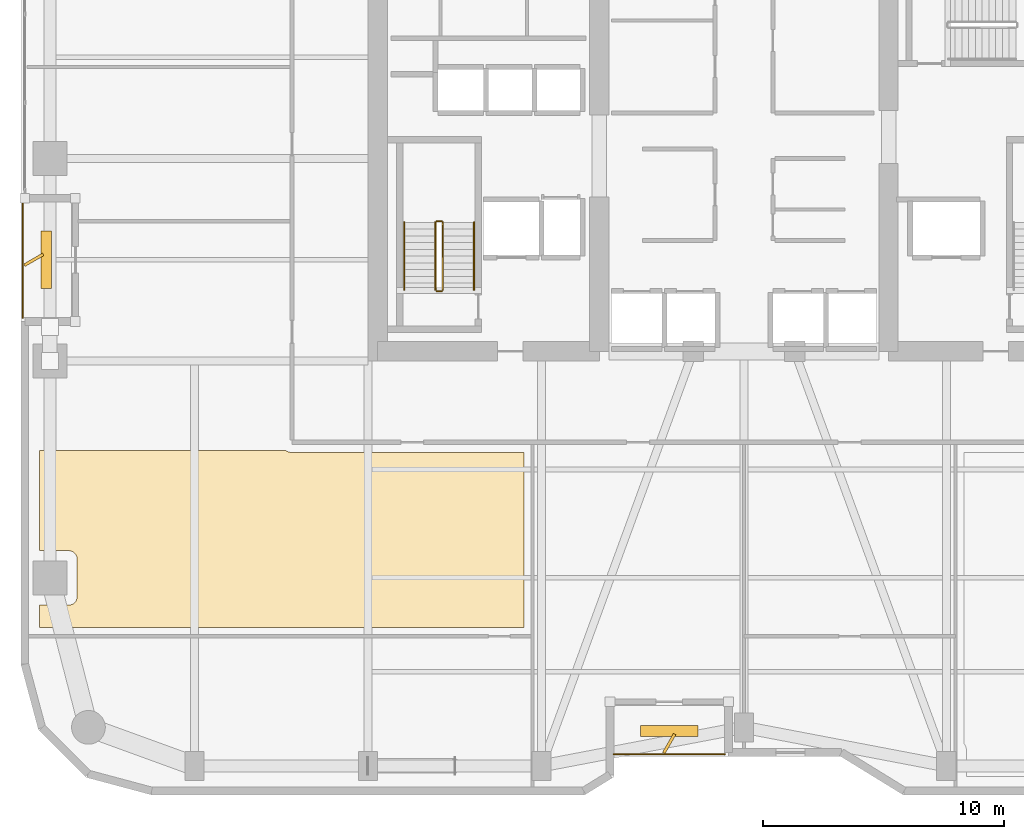
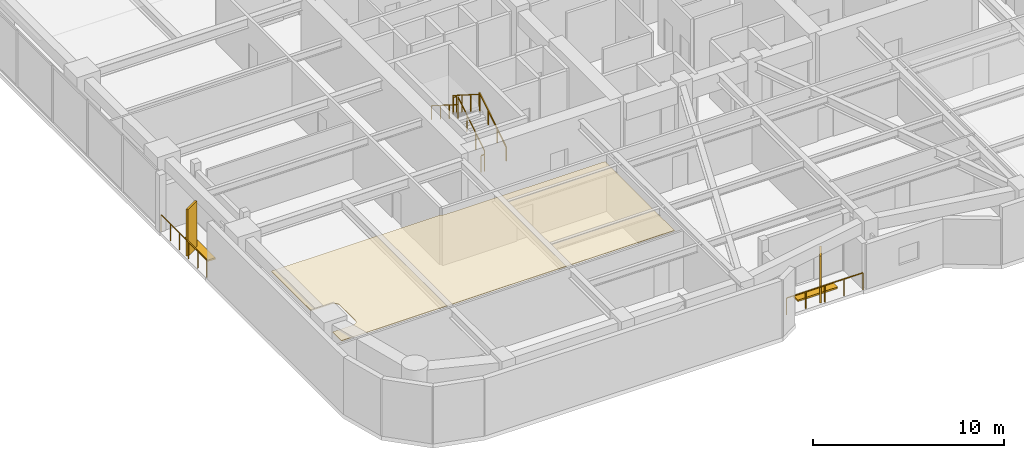
# One storey, part 22 of 24: 8 railings, 4 shading devices, 1 covering.
"""IFC4 building model written with IfcOpenShell, lengths in metres."""

from ifc_helpers import new_model, si_unit, direction, frame, origin, origin_2d, place, context, subcontext, project, spatial, polyline, rectangle, outline, extrude, material, layer, layer_set, type_object, element, save


model = new_model("IFC4")

# Units and contexts
model_context = context("Model", 3, precision=1e-05, world=origin(), true_north=direction((0.0, 1.0)))
body_context = subcontext(model_context, "Body", "Model", "MODEL_VIEW")
ifc_project = project(units=[si_unit("LENGTHUNIT", "METRE"), si_unit("AREAUNIT", "SQUARE_METRE"), si_unit("VOLUMEUNIT", "CUBIC_METRE"), si_unit("PLANEANGLEUNIT", "RADIAN"), si_unit("MASSUNIT", "GRAM", prefix="KILO")], contexts=[model_context])

# Site, building, storey
site_placement = place(None, origin())
site = spatial("IfcSite", under=ifc_project, at=site_placement, CompositionType="ELEMENT")
building_placement = place(site_placement, origin())
building = spatial("IfcBuilding", under=site, at=building_placement, Name="Kiyonajd Concourse Tower", CompositionType="ELEMENT")
storey_placement = place(building_placement, frame((0.0, 0.0, 93.60009765625)))
storey = spatial("IfcBuildingStorey", under=building, at=storey_placement, Name="L24", CompositionType="ELEMENT", Elevation=93.60009765625)

# Covering
ifc_material_1 = material(Name="Natural Oak Acoustic Timber Veneer", Category="wood")
ifc_layer = layer(ifc_material_1, 0.0400390625)
ifc_layer_set = layer_set([ifc_layer], Name="Natural Oak Acoustic Timber Veneer")
covering_type = type_object("IfcCoveringType", Name="CV-CLG-ACST", PredefinedType="CEILING", material=ifc_layer_set)
covering_placement = place(storey_placement, frame((0.0, 0.0, 3.4599609375)))
element("IfcCovering", 1, at=covering_placement, inside=storey, type_object=covering_type, Name="L24-41 Room Acoustic Ceiling", PredefinedType="CEILING", context=body_context, shape_type="SweptSolid", body=[
    extrude(outline(polyline([(29.001953125, 23.8798828125), (29.056884765625, 23.845947265625), (29.1201171875, 23.820068359375), (29.25, 23.800048828125), (38.8701171875, 23.800048828125), (38.8701171875, 16.550048828125), (18.77001953125, 16.550048828125), (18.77001953125, 17.469970703125), (19.97998046875, 17.469970703125), (20.048095703125, 17.47705078125), (20.14501953125, 17.510986328125), (20.201904296875, 17.549072265625), (20.2509765625, 17.597900390625), (20.2890625, 17.655029296875), (20.31494140625, 17.718017578125), (20.330078125, 17.820068359375), (20.330078125, 19.3798828125), (20.31494140625, 19.48193359375), (20.2890625, 19.544921875), (20.2509765625, 19.60205078125), (20.201904296875, 19.65087890625), (20.14501953125, 19.68896484375), (20.08203125, 19.715087890625), (20.013916015625, 19.72802734375), (18.77001953125, 19.72998046875), (18.77001953125, 23.8798828125), (29.001953125, 23.8798828125)])), origin(), (0.0, 0.0, 1.0), 0.0400390625),
])

# Railings
ifc_material_2 = material(Name="Thermally Broken Anodised Aluminium", Category="aluminium")
railing_type_1 = type_object("IfcRailingType", Name="RL-GRD-LOG", PredefinedType="GUARDRAIL", material=ifc_material_2)
railing_1_placement = place(storey_placement, frame((42.60009765625, 11.280029296875, 0.0)))
element("IfcRailing", 2, at=railing_1_placement, inside=storey, type_object=railing_type_1, Name="L24 Engawa Loggia Perimeter Guard LOG-S", PredefinedType="GUARDRAIL", context=body_context, shape_type="SweptSolid", body=[
    extrude(rectangle(XDim=0.048095703125, YDim=0.048095703125, at=origin_2d()), frame((0.0, 0.0, 1.076171875), z_axis=(1.0, 0.0, 0.0), x_axis=(0.0, 1.0, 0.0)), (0.0, 0.0, 1.0), 4.599853515625),
    extrude(rectangle(XDim=0.0419921875, YDim=0.0419921875, at=origin_2d()), origin(), (0.0, 0.0, 1.0), 1.052001953125),
    extrude(rectangle(XDim=0.0419921875, YDim=0.0419921875, at=origin_2d()), frame((1.14990234375, 0.0, 0.0)), (0.0, 0.0, 1.0), 1.052001953125),
    extrude(rectangle(XDim=0.0419921875, YDim=0.0419921875, at=origin_2d()), frame((2.2998046875, 0.0, 0.0)), (0.0, 0.0, 1.0), 1.052001953125),
    extrude(rectangle(XDim=0.0419921875, YDim=0.0419921875, at=origin_2d()), frame((3.449951171875, 0.0, 0.0)), (0.0, 0.0, 1.0), 1.052001953125),
    extrude(rectangle(XDim=0.0419921875, YDim=0.0419921875, at=origin_2d()), frame((4.599853515625, 0.0, 0.0)), (0.0, 0.0, 1.0), 1.052001953125),
])
railing_2_placement = place(storey_placement, frame((18.080078125, 34.199951171875, 0.0)))
element("IfcRailing", 3, at=railing_2_placement, inside=storey, type_object=railing_type_1, Name="L24 Engawa Loggia Perimeter Guard LOG-W", PredefinedType="GUARDRAIL", context=body_context, shape_type="SweptSolid", body=[
    extrude(rectangle(XDim=0.048095703125, YDim=0.048095703125, at=origin_2d()), frame((0.0, 0.0, 1.076171875), z_axis=(0.0, -1.0, 0.0), x_axis=(1.0, 0.0, 0.0)), (0.0, 0.0, 1.0), 4.800048828125),
    extrude(rectangle(XDim=0.0419921875, YDim=0.0419921875, at=origin_2d()), origin(), (0.0, 0.0, 1.0), 1.052001953125),
    extrude(rectangle(XDim=0.0419921875, YDim=0.0419921875, at=origin_2d()), frame((0.0, -0.9599609375, 0.0)), (0.0, 0.0, 1.0), 1.052001953125),
    extrude(rectangle(XDim=0.0419921875, YDim=0.0419921875, at=origin_2d()), frame((0.0, -1.919921875, 0.0)), (0.0, 0.0, 1.0), 1.052001953125),
    extrude(rectangle(XDim=0.0419921875, YDim=0.0419921875, at=origin_2d()), frame((0.0, -2.880126953125, 0.0)), (0.0, 0.0, 1.0), 1.052001953125),
    extrude(rectangle(XDim=0.0419921875, YDim=0.0419921875, at=origin_2d()), frame((0.0, -3.840087890625, 0.0)), (0.0, 0.0, 1.0), 1.052001953125),
    extrude(rectangle(XDim=0.0419921875, YDim=0.0419921875, at=origin_2d()), frame((0.0, -4.800048828125, 0.0)), (0.0, 0.0, 1.0), 1.052001953125),
])
ifc_material_3 = material(Name="Steel ASTM A500 Grade C", Category="steel")
railing_type_2 = type_object("IfcRailingType", Name="RL-GRD-STR", PredefinedType="GUARDRAIL", material=ifc_material_3)
railing_3_placement = place(storey_placement, frame((35.5, 30.550048828125, 0.17724609375)))
element("IfcRailing", 4, at=railing_3_placement, inside=storey, type_object=railing_type_2, Name="L24 ST1 stair guard 1", PredefinedType="GUARDRAIL", context=body_context, shape_type="SweptSolid", body=[
    extrude(rectangle(XDim=0.048095703125, YDim=0.048095703125, at=origin_2d()), frame((0.0, 0.0, 1.076171875), z_axis=(0.0, 0.844908973607, 0.534910110503), x_axis=(-1.0, 0.0, 0.0)), (0.0, 0.0, 1.0), 3.31396484375),
    extrude(rectangle(XDim=0.0419921875, YDim=0.0419921875, at=origin_2d()), origin(), (0.0, 0.0, 1.0), 1.052001953125),
    extrude(rectangle(XDim=0.0419921875, YDim=0.0419921875, at=origin_2d()), frame((0.0, 0.933349609375, 0.5908203125)), (0.0, 0.0, 1.0), 1.052001953125),
    extrude(rectangle(XDim=0.0419921875, YDim=0.0419921875, at=origin_2d()), frame((0.0, 1.86669921875, 1.181884765625)), (0.0, 0.0, 1.0), 1.052001953125),
    extrude(rectangle(XDim=0.0419921875, YDim=0.0419921875, at=origin_2d()), frame((0.0, 2.800048828125, 1.772705078125)), (0.0, 0.0, 1.0), 1.052001953125),
])
railing_4_placement = place(storey_placement, frame((35.449951171875, 33.39990234375, 1.949951171875)))
element("IfcRailing", 5, at=railing_4_placement, inside=storey, type_object=railing_type_2, Name="L24 ST1 stair guard 2", PredefinedType="GUARDRAIL", context=body_context, shape_type="SweptSolid", body=[
    extrude(rectangle(XDim=0.048095703125, YDim=0.048095703125, at=origin_2d()), frame((0.0, 0.0, 1.076171875), z_axis=(-1.0, 0.0, 0.0), x_axis=(0.0, -1.0, 0.0)), (0.0, 0.0, 1.0), 0.199951171875),
    extrude(rectangle(XDim=0.0419921875, YDim=0.0419921875, at=origin_2d()), origin(), (0.0, 0.0, 1.0), 1.052001953125),
    extrude(rectangle(XDim=0.0419921875, YDim=0.0419921875, at=origin_2d()), frame((-0.199951171875, 0.0, 0.0)), (0.0, 0.0, 1.0), 1.052001953125),
])
railing_5_placement = place(storey_placement, frame((35.199951171875, 33.35009765625, 2.127197265625)))
element("IfcRailing", 6, at=railing_5_placement, inside=storey, type_object=railing_type_2, Name="L24 ST1 stair guard 3", PredefinedType="GUARDRAIL", context=body_context, shape_type="SweptSolid", body=[
    extrude(rectangle(XDim=0.048095703125, YDim=0.048095703125, at=origin_2d()), frame((0.0, 0.0, 1.076171875), z_axis=(0.0, -0.844908973607, 0.534910110503), x_axis=(1.0, 0.0, 0.0)), (0.0, 0.0, 1.0), 3.31396484375),
    extrude(rectangle(XDim=0.0419921875, YDim=0.0419921875, at=origin_2d()), origin(), (0.0, 0.0, 1.0), 1.052001953125),
    extrude(rectangle(XDim=0.0419921875, YDim=0.0419921875, at=origin_2d()), frame((0.0, -0.933349609375, 0.5908203125)), (0.0, 0.0, 1.0), 1.052001953125),
    extrude(rectangle(XDim=0.0419921875, YDim=0.0419921875, at=origin_2d()), frame((0.0, -1.86669921875, 1.181884765625)), (0.0, 0.0, 1.0), 1.052001953125),
    extrude(rectangle(XDim=0.0419921875, YDim=0.0419921875, at=origin_2d()), frame((0.0, -2.800048828125, 1.772705078125)), (0.0, 0.0, 1.0), 1.052001953125),
])
railing_6_placement = place(storey_placement, frame((35.449951171875, 30.5, 0.0)))
element("IfcRailing", 7, at=railing_6_placement, inside=storey, type_object=railing_type_2, Name="L24 ST1 stair guard 4", PredefinedType="GUARDRAIL", context=body_context, shape_type="SweptSolid", body=[
    extrude(rectangle(XDim=0.048095703125, YDim=0.048095703125, at=origin_2d()), frame((0.0, 0.0, 1.076171875), z_axis=(-1.0, 0.0, 0.0), x_axis=(0.0, -1.0, 0.0)), (0.0, 0.0, 1.0), 0.199951171875),
    extrude(rectangle(XDim=0.0419921875, YDim=0.0419921875, at=origin_2d()), origin(), (0.0, 0.0, 1.0), 1.052001953125),
    extrude(rectangle(XDim=0.0419921875, YDim=0.0419921875, at=origin_2d()), frame((-0.199951171875, 0.0, 0.0)), (0.0, 0.0, 1.0), 1.052001953125),
])
ifc_material_4 = material(Name="Brushed Stainless Steel Cab Assembly", Category="steel")
railing_type_3 = type_object("IfcRailingType", Name="RL-HND-900", PredefinedType="HANDRAIL", material=ifc_material_4)
railing_7_placement = place(storey_placement, frame((36.800048828125, 30.550048828125, 0.17724609375)))
element("IfcRailing", 8, at=railing_7_placement, inside=storey, type_object=railing_type_3, Name="L24 ST1 stair handrail 1", PredefinedType="HANDRAIL", context=body_context, shape_type="SweptSolid", body=[
    extrude(rectangle(XDim=0.048095703125, YDim=0.048095703125, at=origin_2d()), frame((0.0, 0.0, 0.8759765625), z_axis=(0.0, 0.844908973607, 0.534910110503), x_axis=(-1.0, 0.0, 0.0)), (0.0, 0.0, 1.0), 3.31396484375),
    extrude(rectangle(XDim=0.0419921875, YDim=0.0419921875, at=origin_2d()), origin(), (0.0, 0.0, 1.0), 0.851806640625),
    extrude(rectangle(XDim=0.0419921875, YDim=0.0419921875, at=origin_2d()), frame((0.0, 0.933349609375, 0.5908203125)), (0.0, 0.0, 1.0), 0.851806640625),
    extrude(rectangle(XDim=0.0419921875, YDim=0.0419921875, at=origin_2d()), frame((0.0, 1.86669921875, 1.181884765625)), (0.0, 0.0, 1.0), 0.851806640625),
    extrude(rectangle(XDim=0.0419921875, YDim=0.0419921875, at=origin_2d()), frame((0.0, 2.800048828125, 1.772705078125)), (0.0, 0.0, 1.0), 0.851806640625),
])
railing_8_placement = place(storey_placement, frame((33.89990234375, 33.35009765625, 2.127197265625)))
element("IfcRailing", 9, at=railing_8_placement, inside=storey, type_object=railing_type_3, Name="L24 ST1 stair handrail 2", PredefinedType="HANDRAIL", context=body_context, shape_type="SweptSolid", body=[
    extrude(rectangle(XDim=0.048095703125, YDim=0.048095703125, at=origin_2d()), frame((0.0, 0.0, 0.8759765625), z_axis=(0.0, -0.844908973607, 0.534910110503), x_axis=(1.0, 0.0, 0.0)), (0.0, 0.0, 1.0), 3.31396484375),
    extrude(rectangle(XDim=0.0419921875, YDim=0.0419921875, at=origin_2d()), origin(), (0.0, 0.0, 1.0), 0.851806640625),
    extrude(rectangle(XDim=0.0419921875, YDim=0.0419921875, at=origin_2d()), frame((0.0, -0.933349609375, 0.5908203125)), (0.0, 0.0, 1.0), 0.851806640625),
    extrude(rectangle(XDim=0.0419921875, YDim=0.0419921875, at=origin_2d()), frame((0.0, -1.86669921875, 1.181884765625)), (0.0, 0.0, 1.0), 0.851806640625),
    extrude(rectangle(XDim=0.0419921875, YDim=0.0419921875, at=origin_2d()), frame((0.0, -2.800048828125, 1.772705078125)), (0.0, 0.0, 1.0), 0.851806640625),
])

# Shading devices
ifc_material_5 = material(Name="Precast concrete C50/60", Category="concrete")
shading_device_type_1 = type_object("IfcShadingDeviceType", Name="SH-FIN-900", PredefinedType="USERDEFINED", material=ifc_material_5)
for number, where, z_axis, x_axis, name in (
    (10, (44.89990234375, 11.72998046875, 0.0), (0.0, 0.0, 1.0), (0.5, 0.866025403784, 0.0), "L24 Angled Koshi Solar Fin LOG-S"),
    (11, (18.530029296875, 31.800048828125, 0.0), (0.0, 0.0, 1.0), (0.866025403784, 0.5, 0.0), "L24 Angled Koshi Solar Fin LOG-W"),
):
    element("IfcShadingDevice", number, at=place(storey_placement, frame(where, z_axis=z_axis, x_axis=x_axis)), inside=storey, type_object=shading_device_type_1, Name=name, ObjectType="FIN", PredefinedType="USERDEFINED", context=body_context, shape_type="SweptSolid", body=[
        extrude(rectangle(XDim=0.89990234375, YDim=0.1201171875, at=origin_2d()), origin(), (0.0, 0.0, 1.0), 3.0),
    ])
shading_device_type_2 = type_object("IfcShadingDeviceType", Name="SH-LVR-600", PredefinedType="JALOUSIE", material=ifc_material_2)
for number, where, z_axis, x_axis, name in (
    (12, (44.89990234375, 12.25, -0.000244140625), (0.0, 0.0, 1.0), (1.0, 0.0, 0.0), "L24 Loggia Threshold Louver LOG-S"),
    (13, (19.050048828125, 31.800048828125, -0.000244140625), (0.0, 0.0, 1.0), (0.0, 1.0, 0.0), "L24 Loggia Threshold Louver LOG-W"),
):
    element("IfcShadingDevice", number, at=place(storey_placement, frame(where, z_axis=z_axis, x_axis=x_axis)), inside=storey, type_object=shading_device_type_2, Name=name, PredefinedType="JALOUSIE", context=body_context, shape_type="SweptSolid", body=[
        extrude(rectangle(XDim=2.39990234375, YDim=0.449951171875, at=origin_2d()), origin(), (0.0, 0.0, 1.0), 0.10009765625),
    ])

save(model, "model.ifc")
